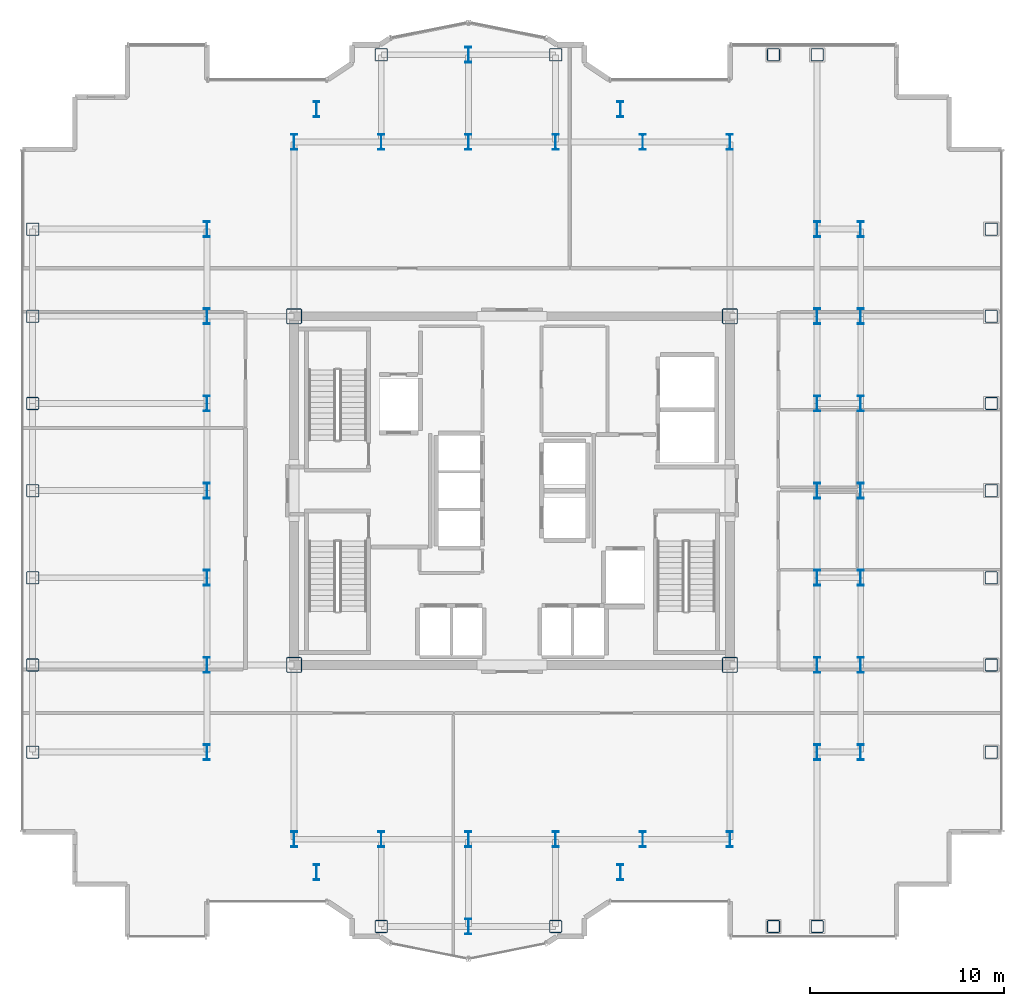
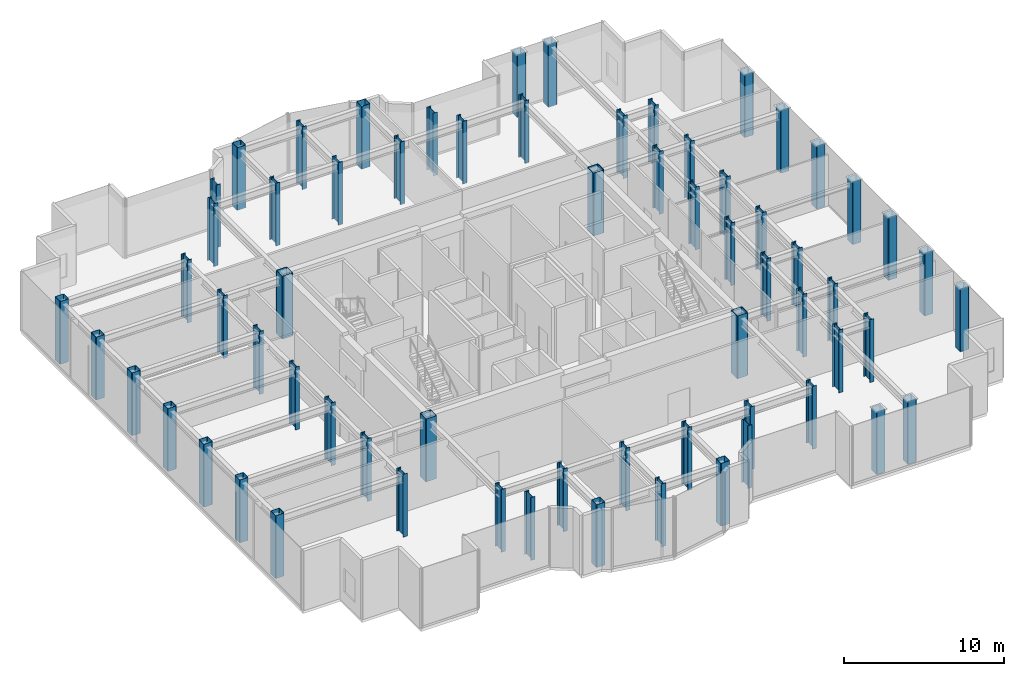
# One storey, part 1 of 20: 65 columns.
"""IFC4 building model written with IfcOpenShell, lengths in metres."""

import ifcopenshell
import ifcopenshell.guid

model = None  # the IFC model being written
_history = None  # IfcOwnerHistory: only IFC2X3 demands one
_inside = {}  # id of a spatial element -> (the spatial element, [elements in it])
_under = {}  # id of a project, library or spatial element -> (it, [spatial elements below it])
_declared = {}  # id of a project -> (the project, [libraries it declares])
_typed = {}  # id of a type object -> (the type object, [elements of that type])
_made_of = {}  # id of a material, layer set ... -> (it, [elements and type objects made of it])


def new_model(schema):
    """Start an empty IFC model of exactly this schema.

    Asked for "IFC4X3", IfcOpenShell would pick the latest addendum, in which some entities
    have other attributes; the version numbers below select the first issue.
    IFC2X3 requires an IfcOwnerHistory on every rooted entity: one is made here for all.
    """
    global model, _history
    if schema == "IFC4X3":
        model = ifcopenshell.file(schema_version=(4, 3, 0, 0))
    else:
        model = ifcopenshell.file(schema=schema)
    _inside.clear()
    _under.clear()
    _declared.clear()
    _typed.clear()
    _made_of.clear()
    _history = None
    if model.schema == "IFC2X3":
        org = make("IfcOrganization", Name="unknown")
        user = make(
            "IfcPersonAndOrganization",
            ThePerson=make("IfcPerson", FamilyName="unknown"),
            TheOrganization=org,
        )
        app = make(
            "IfcApplication",
            ApplicationDeveloper=org,
            Version="unknown",
            ApplicationFullName="unknown",
            ApplicationIdentifier="unknown",
        )
        _history = make(
            "IfcOwnerHistory",
            OwningUser=user,
            OwningApplication=app,
            ChangeAction="ADDED",
            CreationDate=0,
        )
    return model


def make(cls, **values):
    """One entity of the class cls with the attributes given. An attribute that is None is left unset."""
    return model.create_entity(
        cls, **{name: value for name, value in values.items() if value is not None}
    )


def rooted(cls, **values):
    """An entity with a GlobalId (a new one), such as an element, a storey or a relation."""
    return make(cls, GlobalId=ifcopenshell.guid.new(), OwnerHistory=_history, **values)


def si_unit(unit_type, name, prefix=None):
    """IfcSIUnit, for example si_unit("LENGTHUNIT", "METRE", prefix="MILLI")."""
    return make("IfcSIUnit", UnitType=unit_type, Prefix=prefix, Name=name)


def assignment(units):
    """IfcUnitAssignment: the units of a project."""
    return None if units is None else make("IfcUnitAssignment", Units=units)


def point(xyz):
    """IfcCartesianPoint."""
    return None if xyz is None else make("IfcCartesianPoint", Coordinates=xyz)


def direction(xyz):
    """IfcDirection."""
    return None if xyz is None else make("IfcDirection", DirectionRatios=xyz)


def frame(location, z_axis=None, x_axis=None):
    """IfcAxis2Placement3D, a coordinate frame: its origin and axes. An axis left out is left unset."""
    return make(
        "IfcAxis2Placement3D",
        Location=point(location),
        Axis=direction(z_axis),
        RefDirection=direction(x_axis),
    )


def frame_2d(location, x_axis=None):
    """IfcAxis2Placement2D, a coordinate frame in the plane: its origin and x axis."""
    return make(
        "IfcAxis2Placement2D", Location=point(location), RefDirection=direction(x_axis)
    )


def origin():
    """The frame at (0, 0, 0) with its axes left unset."""
    return frame((0.0, 0.0, 0.0))


def origin_2d():
    """The frame at (0, 0) in the plane with its x axis left unset."""
    return frame_2d((0.0, 0.0))


def place(relative_to, where):
    """IfcLocalPlacement: puts the frame where relative to a parent placement (None: the world)."""
    return make(
        "IfcLocalPlacement", PlacementRelTo=relative_to, RelativePlacement=where
    )


def context(
    kind, dimensions, precision=None, world=None, true_north=None, identifier=None
):
    """IfcGeometricRepresentationContext, for example the 3D "Model" context."""
    return make(
        "IfcGeometricRepresentationContext",
        ContextIdentifier=identifier,
        ContextType=kind,
        CoordinateSpaceDimension=dimensions,
        Precision=precision,
        WorldCoordinateSystem=world,
        TrueNorth=true_north,
    )


def subcontext(parent, identifier, kind, view, scale=None):
    """IfcGeometricRepresentationSubContext, for example "Body" below "Model"."""
    return make(
        "IfcGeometricRepresentationSubContext",
        ContextIdentifier=identifier,
        ContextType=kind,
        ParentContext=parent,
        TargetScale=scale,
        TargetView=view,
    )


def project(units=None, contexts=None):
    """IfcProject with its units and contexts."""
    return rooted(
        "IfcProject",
        Name="project",
        RepresentationContexts=contexts,
        UnitsInContext=assignment(units),
    )


def spatial(cls, under=None, at=None, **own):
    """A site, building, storey or space (cls), placed at a placement, below another one or the project."""
    s = rooted(cls, ObjectPlacement=at, **own)
    if under is not None:
        _under.setdefault(under.id(), (under, []))[1].append(s)
    return s


def profile(cls, at=None, kind="AREA", **sizes):
    """A parametric profile (cls). Its sizes go by their IFC names, for example OverallWidth=200.0."""
    return make(cls, ProfileType=kind, Position=at, **sizes)


def hollow_rectangle(**sizes):
    """IfcRectangleHollowProfileDef."""
    return profile("IfcRectangleHollowProfileDef", **sizes)


def i_section(**sizes):
    """IfcIShapeProfileDef."""
    return profile("IfcIShapeProfileDef", **sizes)


def extrude(swept, where, along, depth):
    """IfcExtrudedAreaSolid: the profile swept, set in the frame where, extruded along a direction by depth."""
    return make(
        "IfcExtrudedAreaSolid",
        SweptArea=swept,
        Position=where,
        ExtrudedDirection=direction(along),
        Depth=depth,
    )


def shape(context_of_items, identifier, shape_type, items):
    """IfcShapeRepresentation: the items that make up one representation, for example the "Body"."""
    return make(
        "IfcShapeRepresentation",
        ContextOfItems=context_of_items,
        RepresentationIdentifier=identifier,
        RepresentationType=shape_type,
        Items=items,
    )


def source(mapping_origin, context_of_items, identifier, shape_type, items):
    """IfcRepresentationMap: a shape defined once, which mapped items show again and again."""
    return make(
        "IfcRepresentationMap",
        MappingOrigin=mapping_origin,
        MappedRepresentation=shape(context_of_items, identifier, shape_type, items),
    )


def transform(
    local_origin,
    x_axis=None,
    y_axis=None,
    z_axis=None,
    scale=None,
    scale2=None,
    scale3=None,
    uniform=True,
):
    """IfcCartesianTransformationOperator3D, or its non-uniform kind. x_axis, y_axis, z_axis: its Axis1, 2, 3."""
    if uniform:
        return make(
            "IfcCartesianTransformationOperator3D",
            Axis1=direction(x_axis),
            Axis2=direction(y_axis),
            LocalOrigin=point(local_origin),
            Scale=scale,
            Axis3=direction(z_axis),
        )
    return make(
        "IfcCartesianTransformationOperator3DnonUniform",
        Axis1=direction(x_axis),
        Axis2=direction(y_axis),
        LocalOrigin=point(local_origin),
        Scale=scale,
        Axis3=direction(z_axis),
        Scale2=scale2,
        Scale3=scale3,
    )


def mapped(mapping_source, mapping_target):
    """IfcMappedItem: shows the shape of a source again, moved by a transform."""
    return make(
        "IfcMappedItem", MappingSource=mapping_source, MappingTarget=mapping_target
    )


def material(Name=None, Category=None):
    """IfcMaterial."""
    return make("IfcMaterial", Name=Name, Category=Category)


def material_profile(
    of_material, cross_section, Name=None, Category=None, Priority=None
):
    """IfcMaterialProfile: a cross section and its material."""
    return make(
        "IfcMaterialProfile",
        Name=Name,
        Material=of_material,
        Profile=cross_section,
        Priority=Priority,
        Category=Category,
    )


def profile_set(profiles, Name=None, composite=None):
    """IfcMaterialProfileSet."""
    return make(
        "IfcMaterialProfileSet",
        Name=Name,
        MaterialProfiles=profiles,
        CompositeProfile=composite,
    )


def made_of(thing, what):
    """Note that an element or type object is made of a material, layer set ...; save() writes the relation."""
    if what is not None:
        _made_of.setdefault(what.id(), (what, []))[1].append(thing)
    return thing


def type_object(cls, material=None, **own):
    """A type object (cls), such as IfcWallType, which elements share."""
    return made_of(rooted(cls, **own), material)


def element(
    cls,
    number,
    at=None,
    inside=None,
    cuts=None,
    type_object=None,
    material=None,
    context=None,
    identifier="Body",
    shape_type=None,
    held_by="IfcProductDefinitionShape",
    body=None,
    shapes=None,
    **own,
):
    """One element of the class cls, such as IfcWall. Its Tag is "e" and its number.

    at: its placement. inside: the storey or other place that contains it. cuts: it is an
    opening in that element (IfcRelVoidsElement). A single representation is given by context,
    identifier, shape_type and body (its items); several are given by shapes. held_by: the class
    of the entity that holds the representations. save() writes the other relations.
    """
    e = rooted(cls, Tag="e%d" % number, ObjectPlacement=at, **own)
    if body is not None:
        shapes = [shape(context, identifier, shape_type, body)]
    if shapes is not None:
        e.Representation = make(held_by, Representations=shapes)
    if inside is not None:
        _inside.setdefault(inside.id(), (inside, []))[1].append(e)
    if cuts is not None:
        rooted(
            "IfcRelVoidsElement", RelatingBuildingElement=cuts, RelatedOpeningElement=e
        )
    if type_object is not None:
        _typed.setdefault(type_object.id(), (type_object, []))[1].append(e)
    return made_of(e, material)


def aggregate(whole, parts):
    """IfcRelAggregates: a whole, such as a stair, and the parts it consists of."""
    return rooted("IfcRelAggregates", RelatingObject=whole, RelatedObjects=parts)


def save(model, path):
    """Write the relations noted so far, then the file.

    IfcRelAggregates (storeys below a building ...), IfcRelContainedInSpatialStructure (elements
    in a storey), IfcRelDefinesByType, IfcRelAssociatesMaterial and IfcRelDeclares: one each for
    every whole, place, type object, material and project.
    """
    for whole, parts in _under.values():
        aggregate(whole, parts)
    for where, things in _inside.values():
        rooted(
            "IfcRelContainedInSpatialStructure",
            RelatedElements=things,
            RelatingStructure=where,
        )
    for kind, things in _typed.values():
        rooted("IfcRelDefinesByType", RelatedObjects=things, RelatingType=kind)
    for what, things in _made_of.values():
        rooted("IfcRelAssociatesMaterial", RelatedObjects=things, RelatingMaterial=what)
    for by, libraries in _declared.values():
        rooted("IfcRelDeclares", RelatingContext=by, RelatedDefinitions=libraries)
    model.write(path)


model = new_model("IFC4")

# Units and contexts
model_context = context("Model", 3, precision=1e-05, world=origin(), true_north=direction((0.0, 1.0)))
body_context = subcontext(model_context, "Body", "Model", "MODEL_VIEW")
ifc_project = project(units=[si_unit("LENGTHUNIT", "METRE"), si_unit("AREAUNIT", "SQUARE_METRE"), si_unit("VOLUMEUNIT", "CUBIC_METRE"), si_unit("PLANEANGLEUNIT", "RADIAN"), si_unit("MASSUNIT", "GRAM", prefix="KILO")], contexts=[model_context])

# Site, building, storey
site_placement = place(None, origin())
site = spatial("IfcSite", under=ifc_project, at=site_placement, CompositionType="ELEMENT")
building_placement = place(site_placement, origin())
building = spatial("IfcBuilding", under=site, at=building_placement, Name="Nefas-Gora Pilgrimage Tower", CompositionType="ELEMENT")
storey_placement = place(building_placement, frame((0.0, 0.0, 259.800048828125)))
storey = spatial("IfcBuildingStorey", under=building, at=storey_placement, Name="L65", CompositionType="ELEMENT", Elevation=259.800048828125)

# Columns
ifc_material = material(Name="Steel S460", Category="steel")
ifc_material_profile_1 = material_profile(ifc_material, hollow_rectangle(XDim=0.64990234375, YDim=0.64990234375, WallThickness=0.031982421875, InnerFilletRadius=0.031982421875, OuterFilletRadius=0.06396484375, at=origin_2d()), Name="BOX 650x650x32")
ifc_profile_set_1 = profile_set([ifc_material_profile_1], Name="Steel S460")
column_type_1 = type_object("IfcColumnType", Name="COL-TUBE-650", PredefinedType="COLUMN", material=ifc_profile_set_1)
shared_shape_1 = source(origin(), body_context, "Body", "SweptSolid", [
    extrude(hollow_rectangle(XDim=0.64990234375, YDim=0.64990234375, WallThickness=0.031982421875, InnerFilletRadius=0.031982421875, OuterFilletRadius=0.06396484375, at=origin_2d()), origin(), (0.0, 0.0, 1.0), 4.800048828125),
])
for number, where, z_axis, x_axis, name in (
    (1, (-24.75, -13.5, 0.0), (0.0, 0.0, 1.0), (1.0, 0.0, 0.0), "L65 Tower Column C-Z3.1"),
    (2, (-24.75, -9.0, 0.0), (0.0, 0.0, 1.0), (1.0, 0.0, 0.0), "L65 Tower Column C-Z3.2"),
    (3, (-24.75, -4.5, 0.0), (0.0, 0.0, 1.0), (1.0, 0.0, 0.0), "L65 Tower Column C-Z3.3"),
    (4, (-24.75, 0.0, 0.0), (0.0, 0.0, 1.0), (1.0, 0.0, 0.0), "L65 Tower Column C-Z3.4"),
    (5, (-24.75, 4.5, 0.0), (0.0, 0.0, 1.0), (1.0, 0.0, 0.0), "L65 Tower Column C-Z3.5"),
    (6, (-24.75, 9.0, 0.0), (0.0, 0.0, 1.0), (1.0, 0.0, 0.0), "L65 Tower Column C-Z3.6"),
    (7, (-24.75, 13.5, 0.0), (0.0, 0.0, 1.0), (1.0, 0.0, 0.0), "L65 Tower Column C-Z3.7"),
    (8, (-6.75, -22.5, 0.0), (0.0, 0.0, 1.0), (1.0, 0.0, 0.0), "L65 Tower Column C-Z3.21"),
    (9, (-6.75, 22.5, 0.0), (0.0, 0.0, 1.0), (1.0, 0.0, 0.0), "L65 Tower Column C-Z3.24"),
    (10, (2.25, -22.5, 0.0), (0.0, 0.0, 1.0), (1.0, 0.0, 0.0), "L65 Tower Column C-Z3.29"),
    (11, (2.25, 22.5, 0.0), (0.0, 0.0, 1.0), (1.0, 0.0, 0.0), "L65 Tower Column C-Z3.32"),
    (12, (13.5, -22.5, 0.0), (0.0, 0.0, 1.0), (1.0, 0.0, 0.0), "L65 Tower Column C-Z3.41"),
    (13, (13.5, 22.5, 0.0), (0.0, 0.0, 1.0), (1.0, 0.0, 0.0), "L65 Tower Column C-Z3.42"),
    (14, (15.75, -22.5, 0.0), (0.0, 0.0, 1.0), (1.0, 0.0, 0.0), "L65 Tower Column C-Z3.43"),
    (15, (15.75, 22.5, 0.0), (0.0, 0.0, 1.0), (1.0, 0.0, 0.0), "L65 Tower Column C-Z3.51"),
    (16, (24.75, -13.5, 0.0), (0.0, 0.0, 1.0), (1.0, 0.0, 0.0), "L65 Tower Column C-Z3.59"),
    (17, (24.75, -9.0, 0.0), (0.0, 0.0, 1.0), (1.0, 0.0, 0.0), "L65 Tower Column C-Z3.60"),
    (18, (24.75, -4.5, 0.0), (0.0, 0.0, 1.0), (1.0, 0.0, 0.0), "L65 Tower Column C-Z3.61"),
    (19, (24.75, 0.0, 0.0), (0.0, 0.0, 1.0), (1.0, 0.0, 0.0), "L65 Tower Column C-Z3.62"),
    (20, (24.75, 4.5, 0.0), (0.0, 0.0, 1.0), (1.0, 0.0, 0.0), "L65 Tower Column C-Z3.63"),
    (21, (24.75, 9.0, 0.0), (0.0, 0.0, 1.0), (1.0, 0.0, 0.0), "L65 Tower Column C-Z3.64"),
    (22, (24.75, 13.5, 0.0), (0.0, 0.0, 1.0), (1.0, 0.0, 0.0), "L65 Tower Column C-Z3.65"),
):
    element("IfcColumn", number, at=place(storey_placement, frame(where, z_axis=z_axis, x_axis=x_axis)), inside=storey, type_object=column_type_1, Name=name, PredefinedType="COLUMN", context=body_context, shape_type="MappedRepresentation", body=[
        mapped(shared_shape_1, transform((0.0, 0.0, 0.0), x_axis=(1.0, 0.0, 0.0), y_axis=(0.0, 1.0, 0.0), z_axis=(0.0, 0.0, 1.0), scale=1.0)),
    ])
ifc_material_profile_2 = material_profile(ifc_material, i_section(OverallWidth=0.302978515625, OverallDepth=0.81396484375, WebThickness=0.02099609375, FlangeThickness=0.0400390625, FilletRadius=0.030029296875, at=origin_2d()), Name="HEM 800")
ifc_profile_set_2 = profile_set([ifc_material_profile_2], Name="Steel S460")
column_type_2 = type_object("IfcColumnType", Name="COL-WEB-HEM800", PredefinedType="COLUMN", material=ifc_profile_set_2)
shared_shape_2 = source(origin(), body_context, "Body", "SweptSolid", [
    extrude(i_section(OverallWidth=0.302978515625, OverallDepth=0.81396484375, WebThickness=0.02099609375, FlangeThickness=0.0400390625, FilletRadius=0.030029296875, at=origin_2d()), origin(), (0.0, 0.0, 1.0), 4.800048828125),
])
for number, where, z_axis, x_axis, name in (
    (23, (-15.75, -13.5, 0.0), (0.0, 0.0, 1.0), (1.0, 0.0, 0.0), "L65 Tower Column CW-02.8"),
    (24, (-15.75, -9.0, 0.0), (0.0, 0.0, 1.0), (1.0, 0.0, 0.0), "L65 Tower Column CW-02.9"),
    (25, (-15.75, -4.5, 0.0), (0.0, 0.0, 1.0), (1.0, 0.0, 0.0), "L65 Tower Column CW-02.10"),
    (26, (-15.75, 0.0, 0.0), (0.0, 0.0, 1.0), (1.0, 0.0, 0.0), "L65 Tower Column CW-02.11"),
    (27, (-15.75, 4.5, 0.0), (0.0, 0.0, 1.0), (1.0, 0.0, 0.0), "L65 Tower Column CW-02.12"),
    (28, (-15.75, 9.0, 0.0), (0.0, 0.0, 1.0), (1.0, 0.0, 0.0), "L65 Tower Column CW-02.13"),
    (29, (-15.75, 13.5, 0.0), (0.0, 0.0, 1.0), (1.0, 0.0, 0.0), "L65 Tower Column CW-02.14"),
    (30, (-11.25, -18.0, 0.0), (0.0, 0.0, 1.0), (1.0, 0.0, 0.0), "L65 Tower Column CW-02.15"),
    (31, (-11.25, 18.0, 0.0), (0.0, 0.0, 1.0), (1.0, 0.0, 0.0), "L65 Tower Column CW-02.18"),
    (32, (-10.091064453125, -19.696044921875, 0.0), (0.0, 0.0, 1.0), (1.0, 0.0, 0.0), "L65 Tower Column CW-02.19"),
    (33, (-10.091064453125, 19.696044921875, 0.0), (0.0, 0.0, 1.0), (1.0, 0.0, 0.0), "L65 Tower Column CW-02.20"),
    (34, (-6.75, -18.0, 0.0), (0.0, 0.0, 1.0), (1.0, 0.0, 0.0), "L65 Tower Column CW-02.22"),
    (35, (-6.75, 18.0, 0.0), (0.0, 0.0, 1.0), (1.0, 0.0, 0.0), "L65 Tower Column CW-02.23"),
    (36, (-2.25, -22.5, 0.0), (0.0, 0.0, 1.0), (1.0, 0.0, 0.0), "L65 Tower Column CW-02.25"),
    (37, (-2.25, -18.0, 0.0), (0.0, 0.0, 1.0), (1.0, 0.0, 0.0), "L65 Tower Column CW-02.26"),
    (38, (-2.25, 18.0, 0.0), (0.0, 0.0, 1.0), (1.0, 0.0, 0.0), "L65 Tower Column CW-02.27"),
    (39, (-2.25, 22.5, 0.0), (0.0, 0.0, 1.0), (1.0, 0.0, 0.0), "L65 Tower Column CW-02.28"),
    (40, (2.25, -18.0, 0.0), (0.0, 0.0, 1.0), (1.0, 0.0, 0.0), "L65 Tower Column CW-02.30"),
    (41, (2.25, 18.0, 0.0), (0.0, 0.0, 1.0), (1.0, 0.0, 0.0), "L65 Tower Column CW-02.31"),
    (42, (5.591064453125, -19.696044921875, 0.0), (0.0, 0.0, 1.0), (1.0, 0.0, 0.0), "L65 Tower Column CW-02.33"),
    (43, (5.591064453125, 19.696044921875, 0.0), (0.0, 0.0, 1.0), (1.0, 0.0, 0.0), "L65 Tower Column CW-02.34"),
    (44, (6.75, -18.0, 0.0), (0.0, 0.0, 1.0), (1.0, 0.0, 0.0), "L65 Tower Column CW-02.35"),
    (45, (6.75, 18.0, 0.0), (0.0, 0.0, 1.0), (1.0, 0.0, 0.0), "L65 Tower Column CW-02.36"),
    (46, (11.25, -18.0, 0.0), (0.0, 0.0, 1.0), (1.0, 0.0, 0.0), "L65 Tower Column CW-02.37"),
    (47, (11.25, 18.0, 0.0), (0.0, 0.0, 1.0), (1.0, 0.0, 0.0), "L65 Tower Column CW-02.40"),
    (48, (15.75, -13.5, 0.0), (0.0, 0.0, 1.0), (1.0, 0.0, 0.0), "L65 Tower Column CW-02.44"),
    (49, (15.75, -9.0, 0.0), (0.0, 0.0, 1.0), (1.0, 0.0, 0.0), "L65 Tower Column CW-02.45"),
    (50, (15.75, -4.5, 0.0), (0.0, 0.0, 1.0), (1.0, 0.0, 0.0), "L65 Tower Column CW-02.46"),
    (51, (15.75, 0.0, 0.0), (0.0, 0.0, 1.0), (1.0, 0.0, 0.0), "L65 Tower Column CW-02.47"),
    (52, (15.75, 4.5, 0.0), (0.0, 0.0, 1.0), (1.0, 0.0, 0.0), "L65 Tower Column CW-02.48"),
    (53, (15.75, 9.0, 0.0), (0.0, 0.0, 1.0), (1.0, 0.0, 0.0), "L65 Tower Column CW-02.49"),
    (54, (15.75, 13.5, 0.0), (0.0, 0.0, 1.0), (1.0, 0.0, 0.0), "L65 Tower Column CW-02.50"),
    (55, (18.0, -13.5, 0.0), (0.0, 0.0, 1.0), (1.0, 0.0, 0.0), "L65 Tower Column CW-02.52"),
    (56, (18.0, -9.0, 0.0), (0.0, 0.0, 1.0), (1.0, 0.0, 0.0), "L65 Tower Column CW-02.53"),
    (57, (18.0, -4.5, 0.0), (0.0, 0.0, 1.0), (1.0, 0.0, 0.0), "L65 Tower Column CW-02.54"),
    (58, (18.0, 0.0, 0.0), (0.0, 0.0, 1.0), (1.0, 0.0, 0.0), "L65 Tower Column CW-02.55"),
    (59, (18.0, 4.5, 0.0), (0.0, 0.0, 1.0), (1.0, 0.0, 0.0), "L65 Tower Column CW-02.56"),
    (60, (18.0, 9.0, 0.0), (0.0, 0.0, 1.0), (1.0, 0.0, 0.0), "L65 Tower Column CW-02.57"),
    (61, (18.0, 13.5, 0.0), (0.0, 0.0, 1.0), (1.0, 0.0, 0.0), "L65 Tower Column CW-02.58"),
):
    element("IfcColumn", number, at=place(storey_placement, frame(where, z_axis=z_axis, x_axis=x_axis)), inside=storey, type_object=column_type_2, Name=name, PredefinedType="COLUMN", context=body_context, shape_type="MappedRepresentation", body=[
        mapped(shared_shape_2, transform((0.0, 0.0, 0.0), x_axis=(1.0, 0.0, 0.0), y_axis=(0.0, 1.0, 0.0), z_axis=(0.0, 0.0, 1.0), scale=1.0)),
    ])
ifc_material_profile_3 = material_profile(ifc_material, hollow_rectangle(XDim=0.800048828125, YDim=0.800048828125, WallThickness=0.0400390625, InnerFilletRadius=0.0400390625, OuterFilletRadius=0.080078125, at=origin_2d()), Name="BOX 800x800x40")
ifc_profile_set_3 = profile_set([ifc_material_profile_3], Name="Steel S460")
column_type_3 = type_object("IfcColumnType", Name="COL-CORE-800", PredefinedType="COLUMN", material=ifc_profile_set_3)
shared_shape_3 = source(origin(), body_context, "Body", "SweptSolid", [
    extrude(hollow_rectangle(XDim=0.800048828125, YDim=0.800048828125, WallThickness=0.0400390625, InnerFilletRadius=0.0400390625, OuterFilletRadius=0.080078125, at=origin_2d()), origin(), (0.0, 0.0, 1.0), 4.800048828125),
])
for number, where, z_axis, x_axis, name in (
    (62, (-11.25, -9.0, 0.0), (0.0, 0.0, 1.0), (1.0, 0.0, 0.0), "L65 Tower Column CC-Z2.16"),
    (63, (-11.25, 9.0, 0.0), (0.0, 0.0, 1.0), (1.0, 0.0, 0.0), "L65 Tower Column CC-Z2.17"),
    (64, (11.25, -9.0, 0.0), (0.0, 0.0, 1.0), (1.0, 0.0, 0.0), "L65 Tower Column CC-Z2.38"),
    (65, (11.25, 9.0, 0.0), (0.0, 0.0, 1.0), (1.0, 0.0, 0.0), "L65 Tower Column CC-Z2.39"),
):
    element("IfcColumn", number, at=place(storey_placement, frame(where, z_axis=z_axis, x_axis=x_axis)), inside=storey, type_object=column_type_3, Name=name, PredefinedType="COLUMN", context=body_context, shape_type="MappedRepresentation", body=[
        mapped(shared_shape_3, transform((0.0, 0.0, 0.0), x_axis=(1.0, 0.0, 0.0), y_axis=(0.0, 1.0, 0.0), z_axis=(0.0, 0.0, 1.0), scale=1.0)),
    ])

save(model, "model.ifc")
